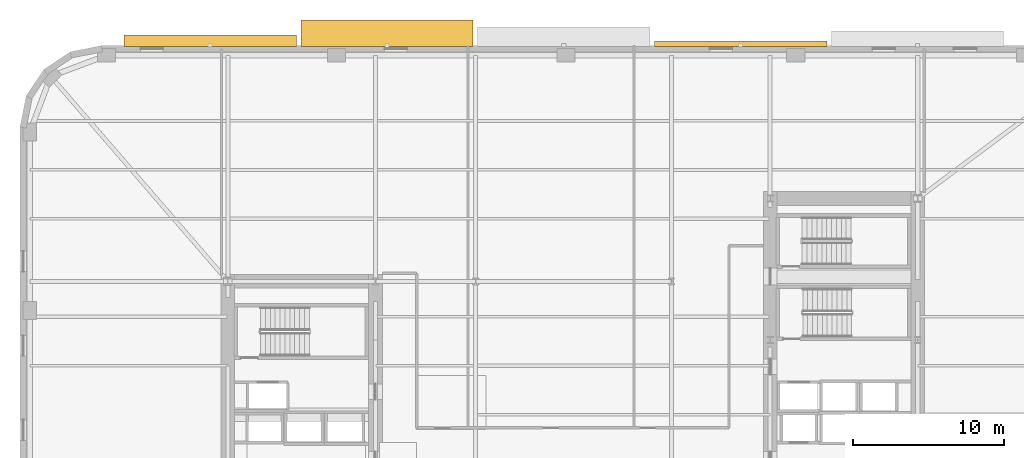
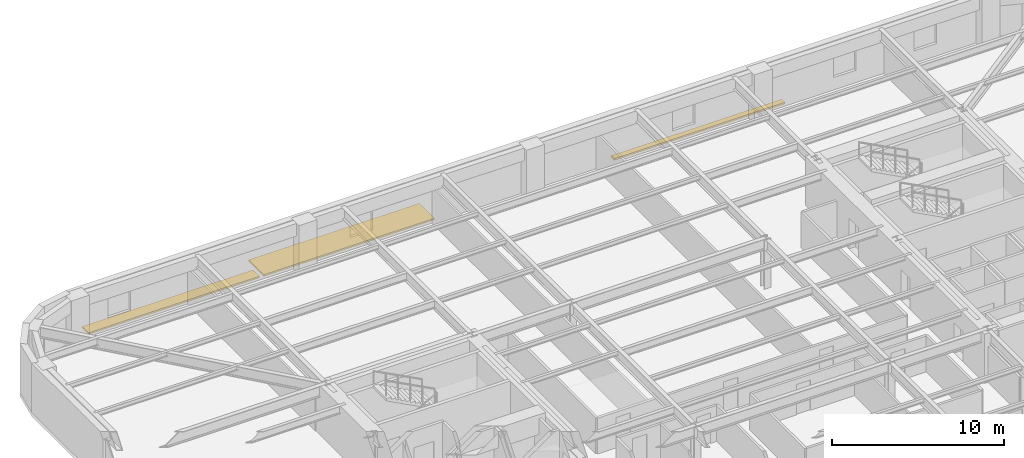
# One storey, part 12 of 14: 3 shading devices.
"""IFC4 building model written with IfcOpenShell, lengths in metres."""

from ifc_helpers import new_model, si_unit, direction, frame, origin, origin_2d, place, context, subcontext, project, spatial, rectangle, extrude, material, type_object, element, save


model = new_model("IFC4")

# Units and contexts
model_context = context("Model", 3, precision=1e-05, world=origin(), true_north=direction((0.0, 1.0)))
body_context = subcontext(model_context, "Body", "Model", "MODEL_VIEW")
ifc_project = project(units=[si_unit("LENGTHUNIT", "METRE"), si_unit("AREAUNIT", "SQUARE_METRE"), si_unit("VOLUMEUNIT", "CUBIC_METRE"), si_unit("PLANEANGLEUNIT", "RADIAN"), si_unit("MASSUNIT", "GRAM", prefix="KILO")], contexts=[model_context])

# Site, building, storey
site_placement = place(None, origin())
site = spatial("IfcSite", under=ifc_project, at=site_placement, CompositionType="ELEMENT")
building_placement = place(site_placement, origin())
building = spatial("IfcBuilding", under=site, at=building_placement, Name="Kolvaren Arena Tower", CompositionType="ELEMENT")
storey_placement = place(building_placement, frame((0.0, 0.0, 79.5)))
storey = spatial("IfcBuildingStorey", under=building, at=storey_placement, Name="L17", CompositionType="ELEMENT", Elevation=79.5)

# Shading devices
ifc_material = material(Name="Architectural precast GFRC and anodised aluminium sunshade", Category="concrete")
shading_device_type_1 = type_object("IfcShadingDeviceType", Name="SHAD-SINE-A", PredefinedType="USERDEFINED", material=ifc_material)
shading_device_1_placement = place(storey_placement, frame((13.3701171875, 49.8203125, -0.14013671875), z_axis=(0.0, 0.0, 1.0), x_axis=(1.0, 0.0, 0.0)))
element("IfcShadingDevice", 1, at=shading_device_1_placement, inside=storey, type_object=shading_device_type_1, Name="Sinusoidal Slab-Edge Sunshade Louvre (L17)", ObjectType="LOUVRE", PredefinedType="USERDEFINED", context=body_context, shape_type="SweptSolid", body=[
    extrude(rectangle(XDim=11.43994140625, YDim=0.74072265625, at=origin_2d()), origin(), (0.0, 0.0, 1.0), 0.1201171875),
])
shading_device_2_placement = place(storey_placement, frame((48.590087890625, 49.63037109375, -0.14013671875), z_axis=(0.0, 0.0, 1.0), x_axis=(1.0, 0.0, 0.0)))
element("IfcShadingDevice", 2, at=shading_device_2_placement, inside=storey, type_object=shading_device_type_1, Name="Sinusoidal Slab-Edge Sunshade Louvre (L17)", ObjectType="LOUVRE", PredefinedType="USERDEFINED", context=body_context, shape_type="SweptSolid", body=[
    extrude(rectangle(XDim=11.43994140625, YDim=0.36083984375, at=origin_2d()), origin(), (0.0, 0.0, 1.0), 0.1201171875),
])
shading_device_type_2 = type_object("IfcShadingDeviceType", Name="SHAD-SINE-B", PredefinedType="JALOUSIE", material=ifc_material)
shading_device_3_placement = place(storey_placement, frame((25.110107421875, 50.32470703125, -0.14013671875), z_axis=(0.0, 0.0, 1.0), x_axis=(1.0, 0.0, 0.0)))
element("IfcShadingDevice", 3, at=shading_device_3_placement, inside=storey, type_object=shading_device_type_2, Name="Sinusoidal Slab-Edge Sunshade Louvre (L17)", PredefinedType="JALOUSIE", context=body_context, shape_type="SweptSolid", body=[
    extrude(rectangle(XDim=11.43994140625, YDim=1.7490234375, at=origin_2d()), origin(), (0.0, 0.0, 1.0), 0.1201171875),
])

save(model, "model.ifc")
